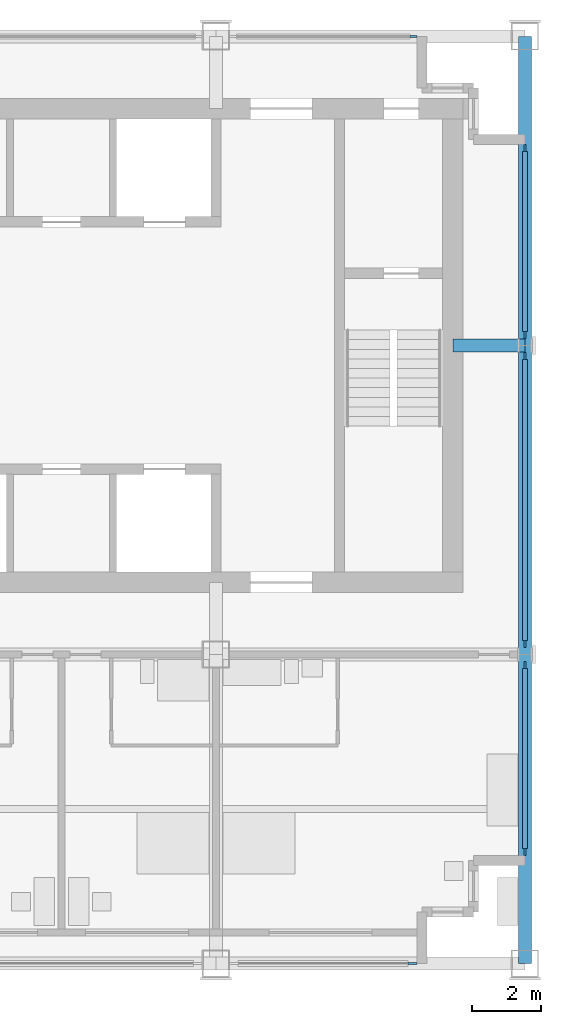
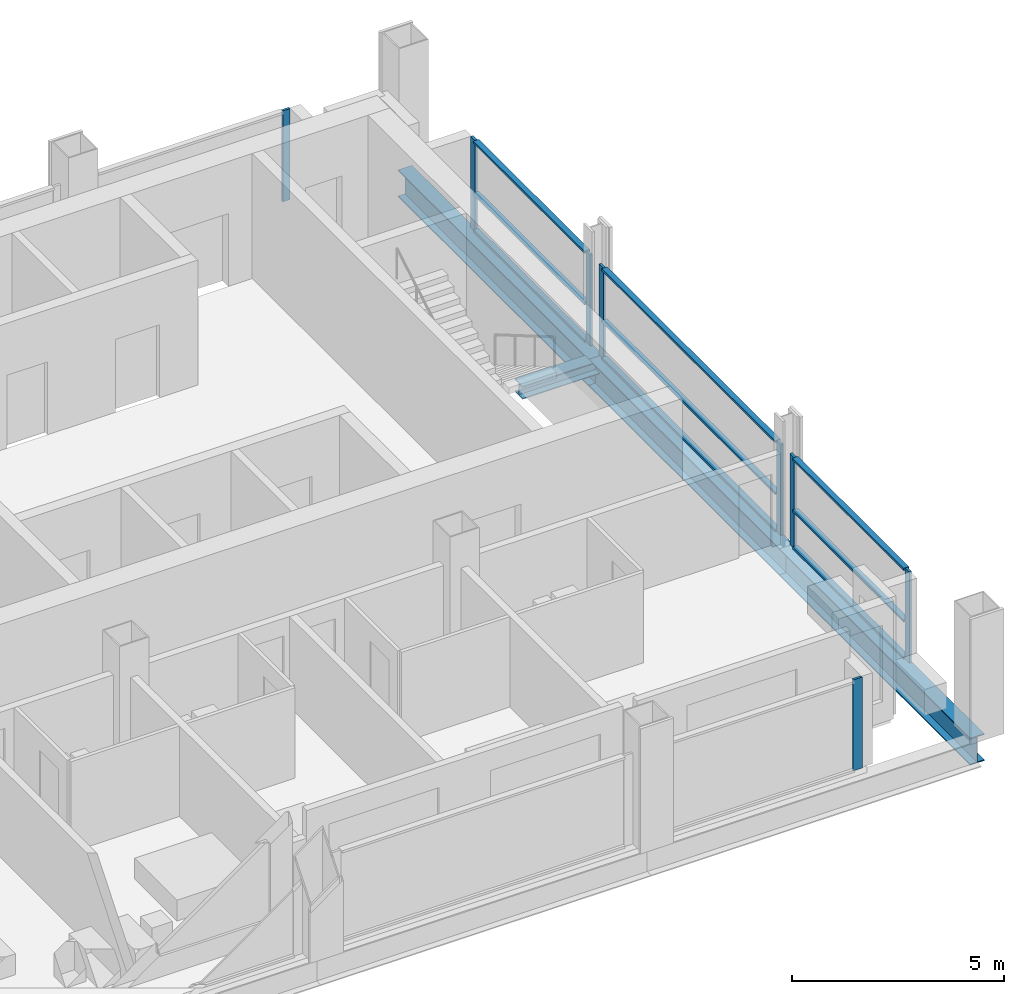
# One storey, part 4 of 12: 18 members, 3 beams, 5 elements without a shape of their own.
"""IFC4 building model written with IfcOpenShell, lengths in metres."""

import ifcopenshell
import ifcopenshell.guid

model = None  # the IFC model being written
_history = None  # IfcOwnerHistory: only IFC2X3 demands one
_inside = {}  # id of a spatial element -> (the spatial element, [elements in it])
_under = {}  # id of a project, library or spatial element -> (it, [spatial elements below it])
_declared = {}  # id of a project -> (the project, [libraries it declares])
_typed = {}  # id of a type object -> (the type object, [elements of that type])
_made_of = {}  # id of a material, layer set ... -> (it, [elements and type objects made of it])


def new_model(schema):
    """Start an empty IFC model of exactly this schema.

    Asked for "IFC4X3", IfcOpenShell would pick the latest addendum, in which some entities
    have other attributes; the version numbers below select the first issue.
    IFC2X3 requires an IfcOwnerHistory on every rooted entity: one is made here for all.
    """
    global model, _history
    if schema == "IFC4X3":
        model = ifcopenshell.file(schema_version=(4, 3, 0, 0))
    else:
        model = ifcopenshell.file(schema=schema)
    _inside.clear()
    _under.clear()
    _declared.clear()
    _typed.clear()
    _made_of.clear()
    _history = None
    if model.schema == "IFC2X3":
        org = make("IfcOrganization", Name="unknown")
        user = make(
            "IfcPersonAndOrganization",
            ThePerson=make("IfcPerson", FamilyName="unknown"),
            TheOrganization=org,
        )
        app = make(
            "IfcApplication",
            ApplicationDeveloper=org,
            Version="unknown",
            ApplicationFullName="unknown",
            ApplicationIdentifier="unknown",
        )
        _history = make(
            "IfcOwnerHistory",
            OwningUser=user,
            OwningApplication=app,
            ChangeAction="ADDED",
            CreationDate=0,
        )
    return model


def make(cls, **values):
    """One entity of the class cls with the attributes given. An attribute that is None is left unset."""
    return model.create_entity(
        cls, **{name: value for name, value in values.items() if value is not None}
    )


def rooted(cls, **values):
    """An entity with a GlobalId (a new one), such as an element, a storey or a relation."""
    return make(cls, GlobalId=ifcopenshell.guid.new(), OwnerHistory=_history, **values)


def si_unit(unit_type, name, prefix=None):
    """IfcSIUnit, for example si_unit("LENGTHUNIT", "METRE", prefix="MILLI")."""
    return make("IfcSIUnit", UnitType=unit_type, Prefix=prefix, Name=name)


def assignment(units):
    """IfcUnitAssignment: the units of a project."""
    return None if units is None else make("IfcUnitAssignment", Units=units)


def point(xyz):
    """IfcCartesianPoint."""
    return None if xyz is None else make("IfcCartesianPoint", Coordinates=xyz)


def direction(xyz):
    """IfcDirection."""
    return None if xyz is None else make("IfcDirection", DirectionRatios=xyz)


def frame(location, z_axis=None, x_axis=None):
    """IfcAxis2Placement3D, a coordinate frame: its origin and axes. An axis left out is left unset."""
    return make(
        "IfcAxis2Placement3D",
        Location=point(location),
        Axis=direction(z_axis),
        RefDirection=direction(x_axis),
    )


def frame_2d(location, x_axis=None):
    """IfcAxis2Placement2D, a coordinate frame in the plane: its origin and x axis."""
    return make(
        "IfcAxis2Placement2D", Location=point(location), RefDirection=direction(x_axis)
    )


def origin():
    """The frame at (0, 0, 0) with its axes left unset."""
    return frame((0.0, 0.0, 0.0))


def origin_2d():
    """The frame at (0, 0) in the plane with its x axis left unset."""
    return frame_2d((0.0, 0.0))


def place(relative_to, where):
    """IfcLocalPlacement: puts the frame where relative to a parent placement (None: the world)."""
    return make(
        "IfcLocalPlacement", PlacementRelTo=relative_to, RelativePlacement=where
    )


def context(
    kind, dimensions, precision=None, world=None, true_north=None, identifier=None
):
    """IfcGeometricRepresentationContext, for example the 3D "Model" context."""
    return make(
        "IfcGeometricRepresentationContext",
        ContextIdentifier=identifier,
        ContextType=kind,
        CoordinateSpaceDimension=dimensions,
        Precision=precision,
        WorldCoordinateSystem=world,
        TrueNorth=true_north,
    )


def subcontext(parent, identifier, kind, view, scale=None):
    """IfcGeometricRepresentationSubContext, for example "Body" below "Model"."""
    return make(
        "IfcGeometricRepresentationSubContext",
        ContextIdentifier=identifier,
        ContextType=kind,
        ParentContext=parent,
        TargetScale=scale,
        TargetView=view,
    )


def project(units=None, contexts=None):
    """IfcProject with its units and contexts."""
    return rooted(
        "IfcProject",
        Name="project",
        RepresentationContexts=contexts,
        UnitsInContext=assignment(units),
    )


def spatial(cls, under=None, at=None, **own):
    """A site, building, storey or space (cls), placed at a placement, below another one or the project."""
    s = rooted(cls, ObjectPlacement=at, **own)
    if under is not None:
        _under.setdefault(under.id(), (under, []))[1].append(s)
    return s


def profile(cls, at=None, kind="AREA", **sizes):
    """A parametric profile (cls). Its sizes go by their IFC names, for example OverallWidth=200.0."""
    return make(cls, ProfileType=kind, Position=at, **sizes)


def rectangle(**sizes):
    """IfcRectangleProfileDef."""
    return profile("IfcRectangleProfileDef", **sizes)


def i_section(**sizes):
    """IfcIShapeProfileDef."""
    return profile("IfcIShapeProfileDef", **sizes)


def extrude(swept, where, along, depth):
    """IfcExtrudedAreaSolid: the profile swept, set in the frame where, extruded along a direction by depth."""
    return make(
        "IfcExtrudedAreaSolid",
        SweptArea=swept,
        Position=where,
        ExtrudedDirection=direction(along),
        Depth=depth,
    )


def shape(context_of_items, identifier, shape_type, items):
    """IfcShapeRepresentation: the items that make up one representation, for example the "Body"."""
    return make(
        "IfcShapeRepresentation",
        ContextOfItems=context_of_items,
        RepresentationIdentifier=identifier,
        RepresentationType=shape_type,
        Items=items,
    )


def material(Name=None, Category=None):
    """IfcMaterial."""
    return make("IfcMaterial", Name=Name, Category=Category)


def material_profile(
    of_material, cross_section, Name=None, Category=None, Priority=None
):
    """IfcMaterialProfile: a cross section and its material."""
    return make(
        "IfcMaterialProfile",
        Name=Name,
        Material=of_material,
        Profile=cross_section,
        Priority=Priority,
        Category=Category,
    )


def profile_set(profiles, Name=None, composite=None):
    """IfcMaterialProfileSet."""
    return make(
        "IfcMaterialProfileSet",
        Name=Name,
        MaterialProfiles=profiles,
        CompositeProfile=composite,
    )


def made_of(thing, what):
    """Note that an element or type object is made of a material, layer set ...; save() writes the relation."""
    if what is not None:
        _made_of.setdefault(what.id(), (what, []))[1].append(thing)
    return thing


def type_object(cls, material=None, **own):
    """A type object (cls), such as IfcWallType, which elements share."""
    return made_of(rooted(cls, **own), material)


def element(
    cls,
    number,
    at=None,
    inside=None,
    cuts=None,
    type_object=None,
    material=None,
    context=None,
    identifier="Body",
    shape_type=None,
    held_by="IfcProductDefinitionShape",
    body=None,
    shapes=None,
    **own,
):
    """One element of the class cls, such as IfcWall. Its Tag is "e" and its number.

    at: its placement. inside: the storey or other place that contains it. cuts: it is an
    opening in that element (IfcRelVoidsElement). A single representation is given by context,
    identifier, shape_type and body (its items); several are given by shapes. held_by: the class
    of the entity that holds the representations. save() writes the other relations.
    """
    e = rooted(cls, Tag="e%d" % number, ObjectPlacement=at, **own)
    if body is not None:
        shapes = [shape(context, identifier, shape_type, body)]
    if shapes is not None:
        e.Representation = make(held_by, Representations=shapes)
    if inside is not None:
        _inside.setdefault(inside.id(), (inside, []))[1].append(e)
    if cuts is not None:
        rooted(
            "IfcRelVoidsElement", RelatingBuildingElement=cuts, RelatedOpeningElement=e
        )
    if type_object is not None:
        _typed.setdefault(type_object.id(), (type_object, []))[1].append(e)
    return made_of(e, material)


def aggregate(whole, parts):
    """IfcRelAggregates: a whole, such as a stair, and the parts it consists of."""
    return rooted("IfcRelAggregates", RelatingObject=whole, RelatedObjects=parts)


def save(model, path):
    """Write the relations noted so far, then the file.

    IfcRelAggregates (storeys below a building ...), IfcRelContainedInSpatialStructure (elements
    in a storey), IfcRelDefinesByType, IfcRelAssociatesMaterial and IfcRelDeclares: one each for
    every whole, place, type object, material and project.
    """
    for whole, parts in _under.values():
        aggregate(whole, parts)
    for where, things in _inside.values():
        rooted(
            "IfcRelContainedInSpatialStructure",
            RelatedElements=things,
            RelatingStructure=where,
        )
    for kind, things in _typed.values():
        rooted("IfcRelDefinesByType", RelatedObjects=things, RelatingType=kind)
    for what, things in _made_of.values():
        rooted("IfcRelAssociatesMaterial", RelatedObjects=things, RelatingMaterial=what)
    for by, libraries in _declared.values():
        rooted("IfcRelDeclares", RelatingContext=by, RelatedDefinitions=libraries)
    model.write(path)


model = new_model("IFC4")

# Units and contexts
model_context = context("Model", 3, precision=1e-05, world=origin(), true_north=direction((0.0, 1.0)))
body_context = subcontext(model_context, "Body", "Model", "MODEL_VIEW")
ifc_project = project(units=[si_unit("LENGTHUNIT", "METRE"), si_unit("AREAUNIT", "SQUARE_METRE"), si_unit("VOLUMEUNIT", "CUBIC_METRE"), si_unit("PLANEANGLEUNIT", "RADIAN"), si_unit("MASSUNIT", "GRAM", prefix="KILO")], contexts=[model_context])

# Site, building, storey
site_placement = place(None, origin())
site = spatial("IfcSite", under=ifc_project, at=site_placement, CompositionType="ELEMENT")
building_placement = place(site_placement, origin())
building = spatial("IfcBuilding", under=site, at=building_placement, Name="Loomwork Tower", CompositionType="ELEMENT")
storey_placement = place(building_placement, frame((0.0, 0.0, 251.800048828125)))
storey = spatial("IfcBuildingStorey", under=building, at=storey_placement, Name="L69", CompositionType="ELEMENT", Elevation=251.800048828125)

# Member
ifc_material_1 = material(Name="Steel ASTM A992", Category="steel")
ifc_material_profile_1 = material_profile(ifc_material_1, i_section(OverallWidth=0.373291015625, OverallDepth=0.373291015625, WebThickness=0.016357421875, FlangeThickness=0.026123046875, at=origin_2d()), Name="W14x132")
ifc_profile_set_1 = profile_set([ifc_material_profile_1], Name="Steel ASTM A992")
member_type_1 = type_object("IfcMemberType", Name="CORE LINK STRUT W14x132", PredefinedType="STRUT", material=ifc_profile_set_1)
member_1_placement = place(storey_placement, frame((36.0, 18.0, -0.38671875), z_axis=(-1.0, 0.0, 0.0), x_axis=(0.0, -1.0, 0.0)))
element("IfcMember", 1, at=member_1_placement, inside=storey, type_object=member_type_1, Name="Core link strut F/6-33.900,18.000 L69", PredefinedType="STRUT", context=body_context, shape_type="SweptSolid", body=[
    extrude(i_section(OverallWidth=0.373291015625, OverallDepth=0.373291015625, WebThickness=0.016357421875, FlangeThickness=0.026123046875, at=origin_2d()), origin(), (0.0, 0.0, 1.0), 2.10009765625),
])

# Curtain wall, member
ifc_material_2 = material(Name="Aluminium curtain wall frame", Category="aluminium")
curtain_wall_type_1 = type_object("IfcCurtainWallType", Name="Outer skin glazing suites", PredefinedType="NOTDEFINED", material=ifc_material_2)
curtain_wall_1_placement = place(storey_placement, origin())
curtain_wall_1 = element("IfcCurtainWall", 2, at=curtain_wall_1_placement, inside=storey, type_object=curtain_wall_type_1, Name="Outer skin glazing suites cw/S-27", PredefinedType="NOTDEFINED")
ifc_material_3 = material(Name="Aluminium curtain wall frame", Category="aluminium")
ifc_material_profile_2 = material_profile(ifc_material_3, rectangle(XDim=0.06494140625, YDim=0.25, at=origin_2d()), Name="AL 65x250")
ifc_profile_set_2 = profile_set([ifc_material_profile_2], Name="Aluminium curtain wall frame")
member_type_2 = type_object("IfcMemberType", Name="Outer skin glazing suites mullion", PredefinedType="MULLION", material=ifc_profile_set_2)
member_2_placement = place(storey_placement, frame((32.72509765625, 0.0, 0.0), z_axis=(0.0, 0.0, 1.0), x_axis=(0.0, 1.0, 0.0)))
member_2 = element("IfcMember", 3, at=member_2_placement, type_object=member_type_2, Name="CW2 mullion 2", PredefinedType="MULLION", context=body_context, shape_type="SweptSolid", body=[
    extrude(rectangle(XDim=0.06494140625, YDim=0.25, at=origin_2d()), origin(), (0.0, 0.0, 1.0), 2.6201171875),
])
aggregate(curtain_wall_1, [member_2])

# Beams
ifc_material_4 = material(Name="Steel ASTM A992", Category="steel")
ifc_material_profile_3 = material_profile(ifc_material_4, i_section(OverallWidth=0.381103515625, OverallDepth=0.77978515625, WebThickness=0.01806640625, FlangeThickness=0.0302734375, at=origin_2d()), Name="W30x191")
ifc_profile_set_3 = profile_set([ifc_material_profile_3], Name="Steel ASTM A992")
beam_type = type_object("IfcBeamType", Name="SPANDREL GIRDER W30x191", PredefinedType="SPANDREL", material=ifc_profile_set_3)
for number, where, z_axis, x_axis, name in (
    (4, (36.0, 0.0, -0.58984375), (0.0, 1.0, 0.0), (-1.0, 0.0, 0.0), "Spandrel Girder D/6-E/6 L69"),
    (5, (36.0, 9.0, -0.58984375), (0.0, 1.0, 0.0), (-1.0, 0.0, 0.0), "Spandrel Girder E/6-F/6 L69"),
    (6, (36.0, 18.0, -0.58984375), (0.0, 1.0, 0.0), (-1.0, 0.0, 0.0), "Spandrel Girder F/6-G/6 L69"),
):
    element("IfcBeam", number, at=place(storey_placement, frame(where, z_axis=z_axis, x_axis=x_axis)), inside=storey, type_object=beam_type, Name=name, PredefinedType="SPANDREL", context=body_context, shape_type="SweptSolid", body=[
        extrude(i_section(OverallWidth=0.381103515625, OverallDepth=0.77978515625, WebThickness=0.01806640625, FlangeThickness=0.0302734375, at=origin_2d()), origin(), (0.0, 0.0, 1.0), 9.0),
    ])

# Curtain wall, member
ifc_material_5 = material(Name="Aluminium curtain wall frame", Category="aluminium")
curtain_wall_type_2 = type_object("IfcCurtainWallType", Name="Single skin glazing corridor", PredefinedType="NOTDEFINED", material=ifc_material_5)
curtain_wall_2_placement = place(storey_placement, origin())
curtain_wall_2 = element("IfcCurtainWall", 7, at=curtain_wall_2_placement, inside=storey, type_object=curtain_wall_type_2, Name="Single skin glazing corridor cw/N-27", PredefinedType="NOTDEFINED")
ifc_material_6 = material(Name="Aluminium curtain wall frame", Category="aluminium")
ifc_material_profile_4 = material_profile(ifc_material_6, rectangle(XDim=0.06494140625, YDim=0.199951171875, at=origin_2d()), Name="AL 65x200")
ifc_profile_set_4 = profile_set([ifc_material_profile_4], Name="Aluminium curtain wall frame")
member_type_3 = type_object("IfcMemberType", Name="Single skin glazing corridor mullion", PredefinedType="MULLION", material=ifc_profile_set_4)
member_3_placement = place(storey_placement, frame((32.75, 27.0, 0.0), z_axis=(0.0, 0.0, 1.0), x_axis=(0.0, -1.0, 0.0)))
member_3 = element("IfcMember", 8, at=member_3_placement, type_object=member_type_3, Name="CW3 mullion 1", PredefinedType="MULLION", context=body_context, shape_type="SweptSolid", body=[
    extrude(rectangle(XDim=0.06494140625, YDim=0.199951171875, at=origin_2d()), origin(), (0.0, 0.0, 1.0), 2.6201171875),
])
aggregate(curtain_wall_2, [member_3])

# Curtain wall, members
curtain_wall_3_placement = place(storey_placement, origin())
curtain_wall_3 = element("IfcCurtainWall", 9, at=curtain_wall_3_placement, inside=storey, type_object=curtain_wall_type_2, Name="Single skin glazing corridor cw/E-0", PredefinedType="NOTDEFINED")
member_4_placement = place(storey_placement, frame((36.0, 3.25, 0.0), z_axis=(0.0, 0.0, 1.0), x_axis=(-1.0, 0.0, 0.0)))
member_4 = element("IfcMember", 10, at=member_4_placement, type_object=member_type_3, Name="CW3 mullion 1", PredefinedType="MULLION", context=body_context, shape_type="SweptSolid", body=[
    extrude(rectangle(XDim=0.06494140625, YDim=0.199951171875, at=origin_2d()), origin(), (0.0, 0.0, 1.0), 2.6201171875),
])
member_5_placement = place(storey_placement, frame((36.0, 8.691650390625, 0.0), z_axis=(0.0, 0.0, 1.0), x_axis=(-1.0, 0.0, 0.0)))
member_5 = element("IfcMember", 11, at=member_5_placement, type_object=member_type_3, Name="CW3 mullion 2", PredefinedType="MULLION", context=body_context, shape_type="SweptSolid", body=[
    extrude(rectangle(XDim=0.06494140625, YDim=0.199951171875, at=origin_2d()), origin(), (0.0, 0.0, 1.0), 2.6201171875),
])

curtain_wall_4_placement = place(storey_placement, origin())
curtain_wall_4 = element("IfcCurtainWall", 12, at=curtain_wall_4_placement, inside=storey, type_object=curtain_wall_type_2, Name="Single skin glazing corridor cw/E-9", PredefinedType="NOTDEFINED")
member_6_placement = place(storey_placement, frame((36.0, 9.308349609375, 0.0), z_axis=(0.0, 0.0, 1.0), x_axis=(-1.0, 0.0, 0.0)))
member_6 = element("IfcMember", 13, at=member_6_placement, type_object=member_type_3, Name="CW3 mullion 1", PredefinedType="MULLION", context=body_context, shape_type="SweptSolid", body=[
    extrude(rectangle(XDim=0.06494140625, YDim=0.199951171875, at=origin_2d()), origin(), (0.0, 0.0, 1.0), 2.6201171875),
])
member_7_placement = place(storey_placement, frame((36.0, 17.691650390625, 0.0), z_axis=(0.0, 0.0, 1.0), x_axis=(-1.0, 0.0, 0.0)))
member_7 = element("IfcMember", 14, at=member_7_placement, type_object=member_type_3, Name="CW3 mullion 2", PredefinedType="MULLION", context=body_context, shape_type="SweptSolid", body=[
    extrude(rectangle(XDim=0.06494140625, YDim=0.199951171875, at=origin_2d()), origin(), (0.0, 0.0, 1.0), 2.6201171875),
])

curtain_wall_5_placement = place(storey_placement, origin())
curtain_wall_5 = element("IfcCurtainWall", 15, at=curtain_wall_5_placement, inside=storey, type_object=curtain_wall_type_2, Name="Single skin glazing corridor cw/E-18", PredefinedType="NOTDEFINED")
member_8_placement = place(storey_placement, frame((36.0, 18.308349609375, 0.0), z_axis=(0.0, 0.0, 1.0), x_axis=(-1.0, 0.0, 0.0)))
member_8 = element("IfcMember", 16, at=member_8_placement, type_object=member_type_3, Name="CW3 mullion 1", PredefinedType="MULLION", context=body_context, shape_type="SweptSolid", body=[
    extrude(rectangle(XDim=0.06494140625, YDim=0.199951171875, at=origin_2d()), origin(), (0.0, 0.0, 1.0), 2.6201171875),
])
member_9_placement = place(storey_placement, frame((36.0, 23.75, 0.0), z_axis=(0.0, 0.0, 1.0), x_axis=(-1.0, 0.0, 0.0)))
member_9 = element("IfcMember", 17, at=member_9_placement, type_object=member_type_3, Name="CW3 mullion 2", PredefinedType="MULLION", context=body_context, shape_type="SweptSolid", body=[
    extrude(rectangle(XDim=0.06494140625, YDim=0.199951171875, at=origin_2d()), origin(), (0.0, 0.0, 1.0), 2.6201171875),
])

# Member
ifc_material_7 = material(Name="Aluminium curtain wall frame", Category="aluminium")
ifc_material_profile_5 = material_profile(ifc_material_7, rectangle(XDim=0.14990234375, YDim=0.06494140625, at=origin_2d()), Name="AL 65x150")
ifc_profile_set_5 = profile_set([ifc_material_profile_5], Name="Aluminium curtain wall frame")
member_type_4 = type_object("IfcMemberType", Name="Single skin glazing corridor transom", PredefinedType="USERDEFINED", material=ifc_profile_set_5)
member_10_placement = place(storey_placement, frame((36.0, 3.35009765625, 0.032470703125), z_axis=(0.0, 1.0, 0.0), x_axis=(-1.0, 0.0, 0.0)))
member_10 = element("IfcMember", 18, at=member_10_placement, type_object=member_type_4, Name="CW3 transom 1.1", ObjectType="TRANSOM", PredefinedType="USERDEFINED", context=body_context, shape_type="SweptSolid", body=[
    extrude(rectangle(XDim=0.14990234375, YDim=0.06494140625, at=origin_2d()), origin(), (0.0, 0.0, 1.0), 5.24169921875),
])

member_11_placement = place(storey_placement, frame((36.0, 3.35009765625, 1.099853515625), z_axis=(0.0, 1.0, 0.0), x_axis=(-1.0, 0.0, 0.0)))
member_11 = element("IfcMember", 19, at=member_11_placement, type_object=member_type_4, Name="CW3 transom 1.2", ObjectType="TRANSOM", PredefinedType="USERDEFINED", context=body_context, shape_type="SweptSolid", body=[
    extrude(rectangle(XDim=0.14990234375, YDim=0.06494140625, at=origin_2d()), origin(), (0.0, 0.0, 1.0), 5.24169921875),
])

member_12_placement = place(storey_placement, frame((36.0, 3.35009765625, 2.587646484375), z_axis=(0.0, 1.0, 0.0), x_axis=(-1.0, 0.0, 0.0)))
member_12 = element("IfcMember", 20, at=member_12_placement, type_object=member_type_4, Name="CW3 transom 1.3", ObjectType="TRANSOM", PredefinedType="USERDEFINED", context=body_context, shape_type="SweptSolid", body=[
    extrude(rectangle(XDim=0.14990234375, YDim=0.06494140625, at=origin_2d()), origin(), (0.0, 0.0, 1.0), 5.24169921875),
])

aggregate(curtain_wall_3, [member_4, member_5, member_10, member_11, member_12])

member_13_placement = place(storey_placement, frame((36.0, 9.408203125, 0.032470703125), z_axis=(0.0, 1.0, 0.0), x_axis=(-1.0, 0.0, 0.0)))
member_13 = element("IfcMember", 21, at=member_13_placement, type_object=member_type_4, Name="CW3 transom 1.1", ObjectType="TRANSOM", PredefinedType="USERDEFINED", context=body_context, shape_type="SweptSolid", body=[
    extrude(rectangle(XDim=0.14990234375, YDim=0.06494140625, at=origin_2d()), origin(), (0.0, 0.0, 1.0), 8.18359375),
])

member_14_placement = place(storey_placement, frame((36.0, 9.408203125, 1.099853515625), z_axis=(0.0, 1.0, 0.0), x_axis=(-1.0, 0.0, 0.0)))
member_14 = element("IfcMember", 22, at=member_14_placement, type_object=member_type_4, Name="CW3 transom 1.2", ObjectType="TRANSOM", PredefinedType="USERDEFINED", context=body_context, shape_type="SweptSolid", body=[
    extrude(rectangle(XDim=0.14990234375, YDim=0.06494140625, at=origin_2d()), origin(), (0.0, 0.0, 1.0), 8.18359375),
])

member_15_placement = place(storey_placement, frame((36.0, 9.408203125, 2.587646484375), z_axis=(0.0, 1.0, 0.0), x_axis=(-1.0, 0.0, 0.0)))
member_15 = element("IfcMember", 23, at=member_15_placement, type_object=member_type_4, Name="CW3 transom 1.3", ObjectType="TRANSOM", PredefinedType="USERDEFINED", context=body_context, shape_type="SweptSolid", body=[
    extrude(rectangle(XDim=0.14990234375, YDim=0.06494140625, at=origin_2d()), origin(), (0.0, 0.0, 1.0), 8.18359375),
])

aggregate(curtain_wall_4, [member_6, member_7, member_13, member_14, member_15])

member_16_placement = place(storey_placement, frame((36.0, 18.408203125, 0.032470703125), z_axis=(0.0, 1.0, 0.0), x_axis=(-1.0, 0.0, 0.0)))
member_16 = element("IfcMember", 24, at=member_16_placement, type_object=member_type_4, Name="CW3 transom 1.1", ObjectType="TRANSOM", PredefinedType="USERDEFINED", context=body_context, shape_type="SweptSolid", body=[
    extrude(rectangle(XDim=0.14990234375, YDim=0.06494140625, at=origin_2d()), origin(), (0.0, 0.0, 1.0), 5.24169921875),
])

member_17_placement = place(storey_placement, frame((36.0, 18.408203125, 1.099853515625), z_axis=(0.0, 1.0, 0.0), x_axis=(-1.0, 0.0, 0.0)))
member_17 = element("IfcMember", 25, at=member_17_placement, type_object=member_type_4, Name="CW3 transom 1.2", ObjectType="TRANSOM", PredefinedType="USERDEFINED", context=body_context, shape_type="SweptSolid", body=[
    extrude(rectangle(XDim=0.14990234375, YDim=0.06494140625, at=origin_2d()), origin(), (0.0, 0.0, 1.0), 5.24169921875),
])

member_18_placement = place(storey_placement, frame((36.0, 18.408203125, 2.587646484375), z_axis=(0.0, 1.0, 0.0), x_axis=(-1.0, 0.0, 0.0)))
member_18 = element("IfcMember", 26, at=member_18_placement, type_object=member_type_4, Name="CW3 transom 1.3", ObjectType="TRANSOM", PredefinedType="USERDEFINED", context=body_context, shape_type="SweptSolid", body=[
    extrude(rectangle(XDim=0.14990234375, YDim=0.06494140625, at=origin_2d()), origin(), (0.0, 0.0, 1.0), 5.24169921875),
])

aggregate(curtain_wall_5, [member_8, member_9, member_16, member_17, member_18])

save(model, "model.ifc")
